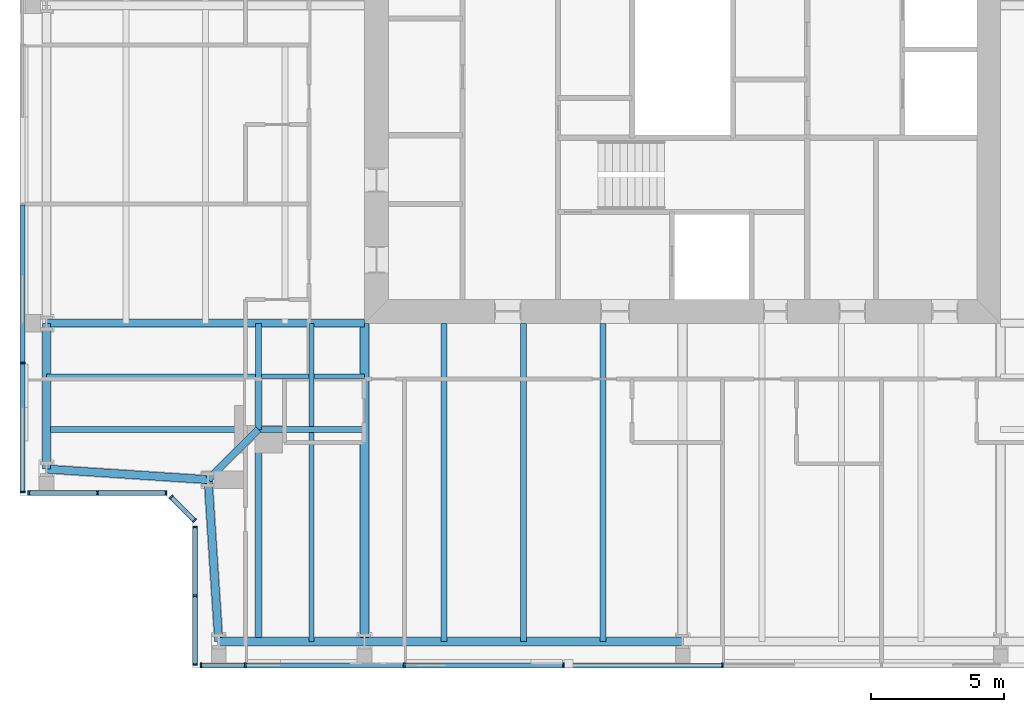
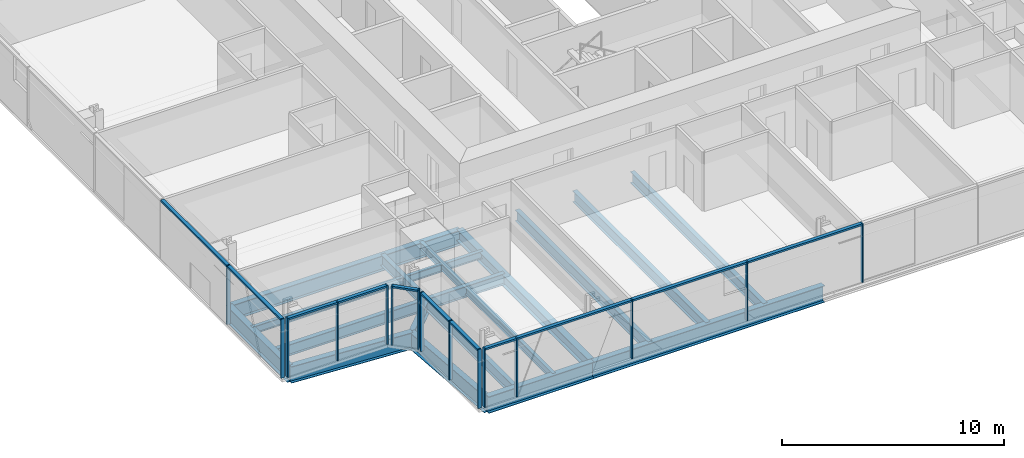
# One storey, part 2 of 18: 26 members, 20 beams, 5 elements without a shape of their own.
"""IFC4 building model written with IfcOpenShell, lengths in metres."""

from ifc_helpers import new_model, si_unit, direction, frame, origin, origin_2d, place, context, subcontext, project, spatial, rectangle, i_section, extrude, material, material_profile, profile_set, type_object, element, aggregate, save


model = new_model("IFC4")

# Units and contexts
model_context = context("Model", 3, precision=1e-05, world=origin(), true_north=direction((0.0, 1.0)))
body_context = subcontext(model_context, "Body", "Model", "MODEL_VIEW")
ifc_project = project(units=[si_unit("LENGTHUNIT", "METRE"), si_unit("AREAUNIT", "SQUARE_METRE"), si_unit("VOLUMEUNIT", "CUBIC_METRE"), si_unit("PLANEANGLEUNIT", "RADIAN"), si_unit("MASSUNIT", "GRAM", prefix="KILO")], contexts=[model_context])

# Site, building, storey
site_placement = place(None, origin())
site = spatial("IfcSite", under=ifc_project, at=site_placement, CompositionType="ELEMENT")
building_placement = place(site_placement, origin())
building = spatial("IfcBuilding", under=site, at=building_placement, Name="Fenwick Lantern Interchange", CompositionType="ELEMENT")
storey_placement = place(building_placement, frame((0.0, 0.0, 262.800048828125)))
storey = spatial("IfcBuildingStorey", under=building, at=storey_placement, Name="L62", CompositionType="ELEMENT", Elevation=262.800048828125)

# Beams
ifc_material_1 = material(Name="Steel ASTM A992 Grade 50", Category="steel")
ifc_material_profile_1 = material_profile(ifc_material_1, i_section(OverallWidth=0.3046875, OverallDepth=0.911865234375, WebThickness=0.015869140625, FlangeThickness=0.02392578125, at=origin_2d()), Name="W36X150")
ifc_profile_set_1 = profile_set([ifc_material_profile_1], Name="Steel ASTM A992 Grade 50")
beam_type_1 = type_object("IfcBeamType", Name="EDGE BEAM W36X150", PredefinedType="SPANDREL", material=ifc_profile_set_1)
beam_1_placement = place(storey_placement, frame((7.5, 1.0, -0.60595703125), z_axis=(1.0, 0.0, 0.0), x_axis=(0.0, 1.0, 0.0)))
element("IfcBeam", 1, at=beam_1_placement, inside=storey, type_object=beam_type_1, Name="L62/FR/S/EB1", PredefinedType="SPANDREL", context=body_context, shape_type="SweptSolid", body=[
    extrude(i_section(OverallWidth=0.3046875, OverallDepth=0.911865234375, WebThickness=0.015869140625, FlangeThickness=0.02392578125, at=origin_2d()), origin(), (0.0, 0.0, 1.0), 5.5),
])
beam_2_placement = place(storey_placement, frame((13.0, 1.0, -0.60595703125), z_axis=(1.0, 0.0, 0.0), x_axis=(0.0, 1.0, 0.0)))
element("IfcBeam", 2, at=beam_2_placement, inside=storey, type_object=beam_type_1, Name="L62/FR/S/EB2", PredefinedType="SPANDREL", context=body_context, shape_type="SweptSolid", body=[
    extrude(i_section(OverallWidth=0.3046875, OverallDepth=0.911865234375, WebThickness=0.015869140625, FlangeThickness=0.02392578125, at=origin_2d()), origin(), (0.0, 0.0, 1.0), 12.0),
])
beam_3_placement = place(storey_placement, frame((1.0, 13.0, -0.60595703125), z_axis=(0.0, -1.0, 0.0), x_axis=(1.0, 0.0, 0.0)))
element("IfcBeam", 3, at=beam_3_placement, inside=storey, type_object=beam_type_1, Name="L62/FR/W/EB4", PredefinedType="SPANDREL", context=body_context, shape_type="SweptSolid", body=[
    extrude(i_section(OverallWidth=0.3046875, OverallDepth=0.911865234375, WebThickness=0.015869140625, FlangeThickness=0.02392578125, at=origin_2d()), origin(), (0.0, 0.0, 1.0), 5.5),
])
for number, where, z_axis, x_axis, name in (
    (4, (1.0, 7.5, -0.60595703125), (0.997858060337, -0.065416293237, 0.0), (0.065416293237, 0.997858060337, 0.0), "L62/FR/W/EBR1"),
    (5, (7.10009765625, 7.10009765625, -0.60595703125), (0.065416293237, -0.997858060337, 0.0), (0.997858060337, 0.065416293237, 0.0), "L62/FR/W/EBR2"),
):
    element("IfcBeam", number, at=place(storey_placement, frame(where, z_axis=z_axis, x_axis=x_axis)), inside=storey, type_object=beam_type_1, Name=name, PredefinedType="SPANDREL", context=body_context, shape_type="SweptSolid", body=[
        extrude(i_section(OverallWidth=0.3046875, OverallDepth=0.911865234375, WebThickness=0.015869140625, FlangeThickness=0.02392578125, at=origin_2d()), origin(), (0.0, 0.0, 1.0), 6.11328125),
    ])
ifc_material_profile_2 = material_profile(ifc_material_1, i_section(OverallWidth=0.22900390625, OverallDepth=0.612060546875, WebThickness=0.011962890625, FlangeThickness=0.01953125, at=origin_2d()), Name="W24X84")
ifc_profile_set_2 = profile_set([ifc_material_profile_2], Name="Steel ASTM A992 Grade 50")
beam_type_2 = type_object("IfcBeamType", Name="FLOOR BEAM W24X84", PredefinedType="BEAM", material=ifc_profile_set_2)
for number, where, z_axis, x_axis, name in (
    (6, (16.0, 1.0, -0.4560546875), (0.0, 1.0, 0.0), (-1.0, 0.0, 0.0), "L62/FR/S/R02"),
    (7, (19.0, 1.0, -0.4560546875), (0.0, 1.0, 0.0), (-1.0, 0.0, 0.0), "L62/FR/S/R03"),
    (8, (22.0, 1.0, -0.4560546875), (0.0, 1.0, 0.0), (-1.0, 0.0, 0.0), "L62/FR/S/R04"),
):
    element("IfcBeam", number, at=place(storey_placement, frame(where, z_axis=z_axis, x_axis=x_axis)), inside=storey, type_object=beam_type_2, Name=name, PredefinedType="BEAM", context=body_context, shape_type="SweptSolid", body=[
        extrude(i_section(OverallWidth=0.22900390625, OverallDepth=0.612060546875, WebThickness=0.011962890625, FlangeThickness=0.01953125, at=origin_2d()), origin(), (0.0, 0.0, 1.0), 12.0),
    ])

# Curtain wall, members
ifc_material_2 = material(Name="Aluminium curtain wall frame", Category="aluminium")
curtain_wall_type = type_object("IfcCurtainWallType", Name="HOTEL CURTAIN WALL", PredefinedType="USERDEFINED", material=ifc_material_2)
curtain_wall_1_placement = place(storey_placement, origin())
curtain_wall_1 = element("IfcCurtainWall", 9, at=curtain_wall_1_placement, inside=storey, type_object=curtain_wall_type, Name="Hotel curtain wall 01", ObjectType="HOTEL CURTAIN WALL", PredefinedType="USERDEFINED")
ifc_material_3 = material(Name="Aluminium extrusion", Category="aluminium")
ifc_material_profile_3 = material_profile(ifc_material_3, rectangle(XDim=0.179931640625, YDim=0.06005859375, at=origin_2d()), Name="HOTEL CURTAIN WALL MULLION 60 X 180")
ifc_profile_set_3 = profile_set([ifc_material_profile_3], Name="Aluminium extrusion")
member_type_1 = type_object("IfcMemberType", Name="HOTEL CURTAIN WALL MULLION 60 X 180", PredefinedType="MULLION", material=ifc_profile_set_3)
member_1_placement = place(storey_placement, frame((6.830078125, 0.10009765625, 0.0), z_axis=(0.0, 0.0, 1.0), x_axis=(0.0, 1.0, 0.0)))
member_1 = element("IfcMember", 10, at=member_1_placement, type_object=member_type_1, Name="L62/CW/01/M00", PredefinedType="MULLION", context=body_context, shape_type="SweptSolid", body=[
    extrude(rectangle(XDim=0.179931640625, YDim=0.06005859375, at=origin_2d()), origin(), (0.0, 0.0, 1.0), 3.25),
])
member_2_placement = place(storey_placement, frame((8.5, 0.10009765625, 0.0), z_axis=(0.0, 0.0, 1.0), x_axis=(0.0, 1.0, 0.0)))
member_2 = element("IfcMember", 11, at=member_2_placement, type_object=member_type_1, Name="L62/CW/01/M01", PredefinedType="MULLION", context=body_context, shape_type="SweptSolid", body=[
    extrude(rectangle(XDim=0.179931640625, YDim=0.06005859375, at=origin_2d()), origin(), (0.0, 0.0, 1.0), 3.25),
])
member_3_placement = place(storey_placement, frame((14.5, 0.10009765625, 0.0), z_axis=(0.0, 0.0, 1.0), x_axis=(0.0, 1.0, 0.0)))
member_3 = element("IfcMember", 12, at=member_3_placement, type_object=member_type_1, Name="L62/CW/01/M02", PredefinedType="MULLION", context=body_context, shape_type="SweptSolid", body=[
    extrude(rectangle(XDim=0.179931640625, YDim=0.06005859375, at=origin_2d()), origin(), (0.0, 0.0, 1.0), 3.25),
])
member_4_placement = place(storey_placement, frame((20.5, 0.10009765625, 0.0), z_axis=(0.0, 0.0, 1.0), x_axis=(0.0, 1.0, 0.0)))
member_4 = element("IfcMember", 13, at=member_4_placement, type_object=member_type_1, Name="L62/CW/01/M03", PredefinedType="MULLION", context=body_context, shape_type="SweptSolid", body=[
    extrude(rectangle(XDim=0.179931640625, YDim=0.06005859375, at=origin_2d()), origin(), (0.0, 0.0, 1.0), 3.25),
])
member_5_placement = place(storey_placement, frame((26.5, 0.10009765625, 0.0), z_axis=(0.0, 0.0, 1.0), x_axis=(0.0, 1.0, 0.0)))
member_5 = element("IfcMember", 14, at=member_5_placement, type_object=member_type_1, Name="L62/CW/01/M04", PredefinedType="MULLION", context=body_context, shape_type="SweptSolid", body=[
    extrude(rectangle(XDim=0.179931640625, YDim=0.06005859375, at=origin_2d()), origin(), (0.0, 0.0, 1.0), 3.25),
])

curtain_wall_2_placement = place(storey_placement, origin())
curtain_wall_2 = element("IfcCurtainWall", 15, at=curtain_wall_2_placement, inside=storey, type_object=curtain_wall_type, Name="Hotel curtain wall 13", ObjectType="HOTEL CURTAIN WALL", PredefinedType="USERDEFINED")
member_6_placement = place(storey_placement, frame((0.10009765625, 11.5, 0.0), z_axis=(0.0, 0.0, 1.0), x_axis=(1.0, 0.0, 0.0)))
member_6 = element("IfcMember", 16, at=member_6_placement, type_object=member_type_1, Name="L62/CW/13/M06", PredefinedType="MULLION", context=body_context, shape_type="SweptSolid", body=[
    extrude(rectangle(XDim=0.179931640625, YDim=0.06005859375, at=origin_2d()), origin(), (0.0, 0.0, 1.0), 3.25),
])
member_7_placement = place(storey_placement, frame((0.10009765625, 6.6298828125, 0.0), z_axis=(0.0, 0.0, 1.0), x_axis=(1.0, 0.0, 0.0)))
member_7 = element("IfcMember", 17, at=member_7_placement, type_object=member_type_1, Name="L62/CW/13/M07", PredefinedType="MULLION", context=body_context, shape_type="SweptSolid", body=[
    extrude(rectangle(XDim=0.179931640625, YDim=0.06005859375, at=origin_2d()), origin(), (0.0, 0.0, 1.0), 3.25),
])

curtain_wall_3_placement = place(storey_placement, origin())
curtain_wall_3 = element("IfcCurtainWall", 18, at=curtain_wall_3_placement, inside=storey, type_object=curtain_wall_type, Name="Hotel curtain wall 14", ObjectType="HOTEL CURTAIN WALL", PredefinedType="USERDEFINED")
member_8_placement = place(storey_placement, frame((0.330078125, 6.60009765625, 0.0), z_axis=(0.0, 0.0, 1.0), x_axis=(0.0, 1.0, 0.0)))
member_8 = element("IfcMember", 19, at=member_8_placement, type_object=member_type_1, Name="L62/CW/14/M00", PredefinedType="MULLION", context=body_context, shape_type="SweptSolid", body=[
    extrude(rectangle(XDim=0.179931640625, YDim=0.06005859375, at=origin_2d()), origin(), (0.0, 0.0, 1.0), 3.25),
])
member_9_placement = place(storey_placement, frame((2.920654296875, 6.60009765625, 0.0), z_axis=(0.0, 0.0, 1.0), x_axis=(0.0, 1.0, 0.0)))
member_9 = element("IfcMember", 20, at=member_9_placement, type_object=member_type_1, Name="L62/CW/14/M01", PredefinedType="MULLION", context=body_context, shape_type="SweptSolid", body=[
    extrude(rectangle(XDim=0.179931640625, YDim=0.06005859375, at=origin_2d()), origin(), (0.0, 0.0, 1.0), 3.25),
])
member_10_placement = place(storey_placement, frame((5.511474609375, 6.60009765625, 0.0), z_axis=(0.0, 0.0, 1.0), x_axis=(0.0, 1.0, 0.0)))
member_10 = element("IfcMember", 21, at=member_10_placement, type_object=member_type_1, Name="L62/CW/14/M02", PredefinedType="MULLION", context=body_context, shape_type="SweptSolid", body=[
    extrude(rectangle(XDim=0.179931640625, YDim=0.06005859375, at=origin_2d()), origin(), (0.0, 0.0, 1.0), 3.25),
])

curtain_wall_4_placement = place(storey_placement, origin())
curtain_wall_4 = element("IfcCurtainWall", 22, at=curtain_wall_4_placement, inside=storey, type_object=curtain_wall_type, Name="Hotel curtain wall 15", ObjectType="HOTEL CURTAIN WALL", PredefinedType="USERDEFINED")
member_11_placement = place(storey_placement, frame((5.7041015625, 6.437255859375, 0.0), z_axis=(0.0, 0.0, 1.0), x_axis=(0.707106781187, 0.707106781187, 0.0)))
member_11 = element("IfcMember", 23, at=member_11_placement, type_object=member_type_1, Name="L62/CW/15/M00", PredefinedType="MULLION", context=body_context, shape_type="SweptSolid", body=[
    extrude(rectangle(XDim=0.179931640625, YDim=0.06005859375, at=origin_2d()), origin(), (0.0, 0.0, 1.0), 3.25),
])
member_12_placement = place(storey_placement, frame((6.578857421875, 5.562744140625, 0.0), z_axis=(0.0, 0.0, 1.0), x_axis=(0.707106781187, 0.707106781187, 0.0)))
member_12 = element("IfcMember", 24, at=member_12_placement, type_object=member_type_1, Name="L62/CW/15/M01", PredefinedType="MULLION", context=body_context, shape_type="SweptSolid", body=[
    extrude(rectangle(XDim=0.179931640625, YDim=0.06005859375, at=origin_2d()), origin(), (0.0, 0.0, 1.0), 3.25),
])

curtain_wall_5_placement = place(storey_placement, origin())
curtain_wall_5 = element("IfcCurtainWall", 25, at=curtain_wall_5_placement, inside=storey, type_object=curtain_wall_type, Name="Hotel curtain wall 16", ObjectType="HOTEL CURTAIN WALL", PredefinedType="USERDEFINED")
member_13_placement = place(storey_placement, frame((6.60009765625, 5.3115234375, 0.0), z_axis=(0.0, 0.0, 1.0), x_axis=(1.0, 0.0, 0.0)))
member_13 = element("IfcMember", 26, at=member_13_placement, type_object=member_type_1, Name="L62/CW/16/M00", PredefinedType="MULLION", context=body_context, shape_type="SweptSolid", body=[
    extrude(rectangle(XDim=0.179931640625, YDim=0.06005859375, at=origin_2d()), origin(), (0.0, 0.0, 1.0), 3.25),
])
member_14_placement = place(storey_placement, frame((6.60009765625, 2.720703125, 0.0), z_axis=(0.0, 0.0, 1.0), x_axis=(1.0, 0.0, 0.0)))
member_14 = element("IfcMember", 27, at=member_14_placement, type_object=member_type_1, Name="L62/CW/16/M01", PredefinedType="MULLION", context=body_context, shape_type="SweptSolid", body=[
    extrude(rectangle(XDim=0.179931640625, YDim=0.06005859375, at=origin_2d()), origin(), (0.0, 0.0, 1.0), 3.25),
])
member_15_placement = place(storey_placement, frame((6.60009765625, 0.1298828125, 0.0), z_axis=(0.0, 0.0, 1.0), x_axis=(1.0, 0.0, 0.0)))
member_15 = element("IfcMember", 28, at=member_15_placement, type_object=member_type_1, Name="L62/CW/16/M02", PredefinedType="MULLION", context=body_context, shape_type="SweptSolid", body=[
    extrude(rectangle(XDim=0.179931640625, YDim=0.06005859375, at=origin_2d()), origin(), (0.0, 0.0, 1.0), 3.25),
])

# Member
ifc_material_profile_4 = material_profile(ifc_material_3, rectangle(XDim=0.179931640625, YDim=0.10009765625, at=origin_2d()), Name="HOTEL CURTAIN WALL TRANSOM 100 X 180")
ifc_profile_set_4 = profile_set([ifc_material_profile_4], Name="Aluminium extrusion")
member_type_2 = type_object("IfcMemberType", Name="HOTEL CURTAIN WALL TRANSOM 100 X 180", PredefinedType="MULLION", material=ifc_profile_set_4)
member_16_placement = place(storey_placement, frame((6.860107421875, 0.10009765625, 3.199951171875), z_axis=(1.0, 0.0, 0.0), x_axis=(0.0, 1.0, 0.0)))
member_16 = element("IfcMember", 29, at=member_16_placement, type_object=member_type_2, Name="L62/CW/01/T00", PredefinedType="MULLION", context=body_context, shape_type="SweptSolid", body=[
    extrude(rectangle(XDim=0.179931640625, YDim=0.10009765625, at=origin_2d()), origin(), (0.0, 0.0, 1.0), 1.60986328125),
])

member_17_placement = place(storey_placement, frame((8.530029296875, 0.10009765625, 3.199951171875), z_axis=(1.0, 0.0, 0.0), x_axis=(0.0, 1.0, 0.0)))
member_17 = element("IfcMember", 30, at=member_17_placement, type_object=member_type_2, Name="L62/CW/01/T01", PredefinedType="MULLION", context=body_context, shape_type="SweptSolid", body=[
    extrude(rectangle(XDim=0.179931640625, YDim=0.10009765625, at=origin_2d()), origin(), (0.0, 0.0, 1.0), 5.93994140625),
])

member_18_placement = place(storey_placement, frame((14.530029296875, 0.10009765625, 3.199951171875), z_axis=(1.0, 0.0, 0.0), x_axis=(0.0, 1.0, 0.0)))
member_18 = element("IfcMember", 31, at=member_18_placement, type_object=member_type_2, Name="L62/CW/01/T02", PredefinedType="MULLION", context=body_context, shape_type="SweptSolid", body=[
    extrude(rectangle(XDim=0.179931640625, YDim=0.10009765625, at=origin_2d()), origin(), (0.0, 0.0, 1.0), 5.93994140625),
])

member_19_placement = place(storey_placement, frame((20.530029296875, 0.10009765625, 3.199951171875), z_axis=(1.0, 0.0, 0.0), x_axis=(0.0, 1.0, 0.0)))
member_19 = element("IfcMember", 32, at=member_19_placement, type_object=member_type_2, Name="L62/CW/01/T03", PredefinedType="MULLION", context=body_context, shape_type="SweptSolid", body=[
    extrude(rectangle(XDim=0.179931640625, YDim=0.10009765625, at=origin_2d()), origin(), (0.0, 0.0, 1.0), 5.93994140625),
])

aggregate(curtain_wall_1, [member_1, member_2, member_3, member_4, member_5, member_16, member_17, member_18, member_19])

member_20_placement = place(storey_placement, frame((0.10009765625, 17.469970703125, 3.199951171875), z_axis=(0.0, -1.0, 0.0), x_axis=(1.0, 0.0, 0.0)))
member_20 = element("IfcMember", 33, at=member_20_placement, type_object=member_type_2, Name="L62/CW/13/T05", PredefinedType="MULLION", context=body_context, shape_type="SweptSolid", body=[
    extrude(rectangle(XDim=0.179931640625, YDim=0.10009765625, at=origin_2d()), origin(), (0.0, 0.0, 1.0), 5.93994140625),
])

member_21_placement = place(storey_placement, frame((0.10009765625, 11.469970703125, 3.199951171875), z_axis=(0.0, -1.0, 0.0), x_axis=(1.0, 0.0, 0.0)))
member_21 = element("IfcMember", 34, at=member_21_placement, type_object=member_type_2, Name="L62/CW/13/T06", PredefinedType="MULLION", context=body_context, shape_type="SweptSolid", body=[
    extrude(rectangle(XDim=0.179931640625, YDim=0.10009765625, at=origin_2d()), origin(), (0.0, 0.0, 1.0), 4.81005859375),
])

aggregate(curtain_wall_2, [member_6, member_7, member_20, member_21])

member_22_placement = place(storey_placement, frame((0.360107421875, 6.60009765625, 3.199951171875), z_axis=(1.0, 0.0, 0.0), x_axis=(0.0, 1.0, 0.0)))
member_22 = element("IfcMember", 35, at=member_22_placement, type_object=member_type_2, Name="L62/CW/14/T00", PredefinedType="MULLION", context=body_context, shape_type="SweptSolid", body=[
    extrude(rectangle(XDim=0.179931640625, YDim=0.10009765625, at=origin_2d()), origin(), (0.0, 0.0, 1.0), 2.530517578125),
])

member_23_placement = place(storey_placement, frame((2.95068359375, 6.60009765625, 3.199951171875), z_axis=(1.0, 0.0, 0.0), x_axis=(0.0, 1.0, 0.0)))
member_23 = element("IfcMember", 36, at=member_23_placement, type_object=member_type_2, Name="L62/CW/14/T01", PredefinedType="MULLION", context=body_context, shape_type="SweptSolid", body=[
    extrude(rectangle(XDim=0.179931640625, YDim=0.10009765625, at=origin_2d()), origin(), (0.0, 0.0, 1.0), 2.53076171875),
])

aggregate(curtain_wall_3, [member_8, member_9, member_10, member_22, member_23])

member_24_placement = place(storey_placement, frame((5.725341796875, 6.416259765625, 3.199951171875), z_axis=(0.707003077033, -0.707210470133, 0.0), x_axis=(0.707210470133, 0.707003077033, 0.0)))
member_24 = element("IfcMember", 37, at=member_24_placement, type_object=member_type_2, Name="L62/CW/15/T00", PredefinedType="MULLION", context=body_context, shape_type="SweptSolid", body=[
    extrude(rectangle(XDim=0.179931640625, YDim=0.10009765625, at=origin_2d()), origin(), (0.0, 0.0, 1.0), 1.17724609375),
])

aggregate(curtain_wall_4, [member_11, member_12, member_24])

member_25_placement = place(storey_placement, frame((6.60009765625, 5.281494140625, 3.199951171875), z_axis=(0.0, -1.0, 0.0), x_axis=(1.0, 0.0, 0.0)))
member_25 = element("IfcMember", 38, at=member_25_placement, type_object=member_type_2, Name="L62/CW/16/T00", PredefinedType="MULLION", context=body_context, shape_type="SweptSolid", body=[
    extrude(rectangle(XDim=0.179931640625, YDim=0.10009765625, at=origin_2d()), origin(), (0.0, 0.0, 1.0), 2.53076171875),
])

member_26_placement = place(storey_placement, frame((6.60009765625, 2.690673828125, 3.199951171875), z_axis=(0.0, -1.0, 0.0), x_axis=(1.0, 0.0, 0.0)))
member_26 = element("IfcMember", 39, at=member_26_placement, type_object=member_type_2, Name="L62/CW/16/T01", PredefinedType="MULLION", context=body_context, shape_type="SweptSolid", body=[
    extrude(rectangle(XDim=0.179931640625, YDim=0.10009765625, at=origin_2d()), origin(), (0.0, 0.0, 1.0), 2.53076171875),
])

aggregate(curtain_wall_5, [member_13, member_14, member_15, member_25, member_26])

# Beams
ifc_material_profile_5 = material_profile(ifc_material_1, i_section(OverallWidth=0.177734375, OverallDepth=0.406494140625, WebThickness=0.0078125, FlangeThickness=0.012939453125, at=origin_2d()), Name="W16X40")
ifc_profile_set_5 = profile_set([ifc_material_profile_5], Name="Steel ASTM A992 Grade 50")
beam_type_3 = type_object("IfcBeamType", Name="INFILL BEAM W16X40", PredefinedType="JOIST", material=ifc_profile_set_5)
beam_4_placement = place(storey_placement, frame((11.0, 1.0, -0.353271484375), z_axis=(0.0, 1.0, 0.0), x_axis=(-1.0, 0.0, 0.0)))
element("IfcBeam", 40, at=beam_4_placement, inside=storey, type_object=beam_type_3, Name="L62/FR/S/J1", PredefinedType="JOIST", context=body_context, shape_type="SweptSolid", body=[
    extrude(i_section(OverallWidth=0.177734375, OverallDepth=0.406494140625, WebThickness=0.0078125, FlangeThickness=0.012939453125, at=origin_2d()), origin(), (0.0, 0.0, 1.0), 7.885498046875),
])
beam_5_placement = place(storey_placement, frame((11.0, 9.114501953125, -0.353271484375), z_axis=(0.0, 1.0, 0.0), x_axis=(-1.0, 0.0, 0.0)))
element("IfcBeam", 41, at=beam_5_placement, inside=storey, type_object=beam_type_3, Name="L62/FR/S/J2", PredefinedType="JOIST", context=body_context, shape_type="SweptSolid", body=[
    extrude(i_section(OverallWidth=0.177734375, OverallDepth=0.406494140625, WebThickness=0.0078125, FlangeThickness=0.012939453125, at=origin_2d()), origin(), (0.0, 0.0, 1.0), 3.885498046875),
])
beam_6_placement = place(storey_placement, frame((1.0, 11.0, -0.353271484375), z_axis=(1.0, 0.0, 0.0), x_axis=(0.0, 1.0, 0.0)))
element("IfcBeam", 42, at=beam_6_placement, inside=storey, type_object=beam_type_3, Name="L62/FR/S/J3", PredefinedType="JOIST", context=body_context, shape_type="SweptSolid", body=[
    extrude(i_section(OverallWidth=0.177734375, OverallDepth=0.406494140625, WebThickness=0.0078125, FlangeThickness=0.012939453125, at=origin_2d()), origin(), (0.0, 0.0, 1.0), 7.885498046875),
])
beam_7_placement = place(storey_placement, frame((9.114501953125, 11.0, -0.353271484375), z_axis=(1.0, 0.0, 0.0), x_axis=(0.0, 1.0, 0.0)))
element("IfcBeam", 43, at=beam_7_placement, inside=storey, type_object=beam_type_3, Name="L62/FR/S/J4", PredefinedType="JOIST", context=body_context, shape_type="SweptSolid", body=[
    extrude(i_section(OverallWidth=0.177734375, OverallDepth=0.406494140625, WebThickness=0.0078125, FlangeThickness=0.012939453125, at=origin_2d()), origin(), (0.0, 0.0, 1.0), 1.796630859375),
])
beam_8_placement = place(storey_placement, frame((11.0888671875, 11.0, -0.353271484375), z_axis=(1.0, 0.0, 0.0), x_axis=(0.0, 1.0, 0.0)))
element("IfcBeam", 44, at=beam_8_placement, inside=storey, type_object=beam_type_3, Name="L62/FR/S/J5", PredefinedType="JOIST", context=body_context, shape_type="SweptSolid", body=[
    extrude(i_section(OverallWidth=0.177734375, OverallDepth=0.406494140625, WebThickness=0.0078125, FlangeThickness=0.012939453125, at=origin_2d()), origin(), (0.0, 0.0, 1.0), 1.9111328125),
])
ifc_material_profile_6 = material_profile(ifc_material_1, i_section(OverallWidth=0.22900390625, OverallDepth=0.612060546875, WebThickness=0.011962890625, FlangeThickness=0.01953125, at=origin_2d()), Name="W24X84")
ifc_profile_set_6 = profile_set([ifc_material_profile_6], Name="Steel ASTM A992 Grade 50")
beam_type_4 = type_object("IfcBeamType", Name="MEGA COLUMN BEAM W24X84", PredefinedType="BEAM", material=ifc_profile_set_6)
for number, where, z_axis, x_axis, name in (
    (45, (9.0, 9.0, -0.4560546875), (0.0, -1.0, 0.0), (1.0, 0.0, 0.0), "L62/FR/S/MB1"),
    (46, (9.0, 9.0, -0.4560546875), (-1.0, 0.0, 0.0), (0.0, -1.0, 0.0), "L62/FR/S/MB2"),
):
    element("IfcBeam", number, at=place(storey_placement, frame(where, z_axis=z_axis, x_axis=x_axis)), inside=storey, type_object=beam_type_4, Name=name, PredefinedType="BEAM", context=body_context, shape_type="SweptSolid", body=[
        extrude(i_section(OverallWidth=0.22900390625, OverallDepth=0.612060546875, WebThickness=0.011962890625, FlangeThickness=0.01953125, at=origin_2d()), origin(), (0.0, 0.0, 1.0), 8.0),
    ])
for number, where, z_axis, x_axis, name in (
    (47, (9.0, 9.0, -0.4560546875), (1.0, 0.0, 0.0), (0.0, 1.0, 0.0), "L62/FR/S/MB3"),
    (48, (9.0, 9.0, -0.4560546875), (0.0, 1.0, 0.0), (-1.0, 0.0, 0.0), "L62/FR/S/MB4"),
):
    element("IfcBeam", number, at=place(storey_placement, frame(where, z_axis=z_axis, x_axis=x_axis)), inside=storey, type_object=beam_type_4, Name=name, PredefinedType="BEAM", context=body_context, shape_type="SweptSolid", body=[
        extrude(i_section(OverallWidth=0.22900390625, OverallDepth=0.612060546875, WebThickness=0.011962890625, FlangeThickness=0.01953125, at=origin_2d()), origin(), (0.0, 0.0, 1.0), 4.0),
    ])
ifc_material_profile_7 = material_profile(ifc_material_1, i_section(OverallWidth=0.32763671875, OverallDepth=0.622314453125, WebThickness=0.015380859375, FlangeThickness=0.0244140625, at=origin_2d()), Name="W24X131")
ifc_profile_set_7 = profile_set([ifc_material_profile_7], Name="Steel ASTM A992 Grade 50")
beam_type_5 = type_object("IfcBeamType", Name="MOMENT-CONNECTED GIRDER W24X131", PredefinedType="BEAM", material=ifc_profile_set_7)
beam_9_placement = place(storey_placement, frame((13.0, 1.0, -0.461181640625), z_axis=(0.0, 1.0, 0.0), x_axis=(-1.0, 0.0, 0.0)))
element("IfcBeam", 49, at=beam_9_placement, inside=storey, type_object=beam_type_5, Name="L62/FR/S/R01", PredefinedType="BEAM", context=body_context, shape_type="SweptSolid", body=[
    extrude(i_section(OverallWidth=0.32763671875, OverallDepth=0.622314453125, WebThickness=0.015380859375, FlangeThickness=0.0244140625, at=origin_2d()), origin(), (0.0, 0.0, 1.0), 12.0),
])
ifc_material_profile_8 = material_profile(ifc_material_1, i_section(OverallWidth=0.2919921875, OverallDepth=0.845703125, WebThickness=0.015380859375, FlangeThickness=0.0244140625, at=origin_2d()), Name="W33X141")
ifc_profile_set_8 = profile_set([ifc_material_profile_8], Name="Steel ASTM A992 Grade 50")
beam_type_6 = type_object("IfcBeamType", Name="MOMENT-CONNECTED GIRDER W33X141", PredefinedType="BEAM", material=ifc_profile_set_8)
beam_10_placement = place(storey_placement, frame((1.0, 13.0, -0.572998046875), z_axis=(1.0, 0.0, 0.0), x_axis=(0.0, 1.0, 0.0)))
element("IfcBeam", 50, at=beam_10_placement, inside=storey, type_object=beam_type_6, Name="L62/FR/W/R03", PredefinedType="BEAM", context=body_context, shape_type="SweptSolid", body=[
    extrude(i_section(OverallWidth=0.2919921875, OverallDepth=0.845703125, WebThickness=0.015380859375, FlangeThickness=0.0244140625, at=origin_2d()), origin(), (0.0, 0.0, 1.0), 12.0),
])
ifc_material_profile_9 = material_profile(ifc_material_1, i_section(OverallWidth=0.2666015625, OverallDepth=0.7568359375, WebThickness=0.013916015625, FlangeThickness=0.019287109375, at=origin_2d()), Name="W30X108")
ifc_profile_set_9 = profile_set([ifc_material_profile_9], Name="Steel ASTM A992 Grade 50")
beam_type_7 = type_object("IfcBeamType", Name="NOTCH BEAM W30X108", PredefinedType="BEAM", material=ifc_profile_set_9)
beam_11_placement = place(storey_placement, frame((9.0, 9.0, -0.528564453125), z_axis=(-0.707106781187, -0.707106781187, 0.0), x_axis=(0.707106781187, -0.707106781187, 0.0)))
element("IfcBeam", 51, at=beam_11_placement, inside=storey, type_object=beam_type_7, Name="L62/FR/S/TG", PredefinedType="BEAM", context=body_context, shape_type="SweptSolid", body=[
    extrude(i_section(OverallWidth=0.2666015625, OverallDepth=0.7568359375, WebThickness=0.013916015625, FlangeThickness=0.019287109375, at=origin_2d()), origin(), (0.0, 0.0, 1.0), 2.686767578125),
])

save(model, "model.ifc")
